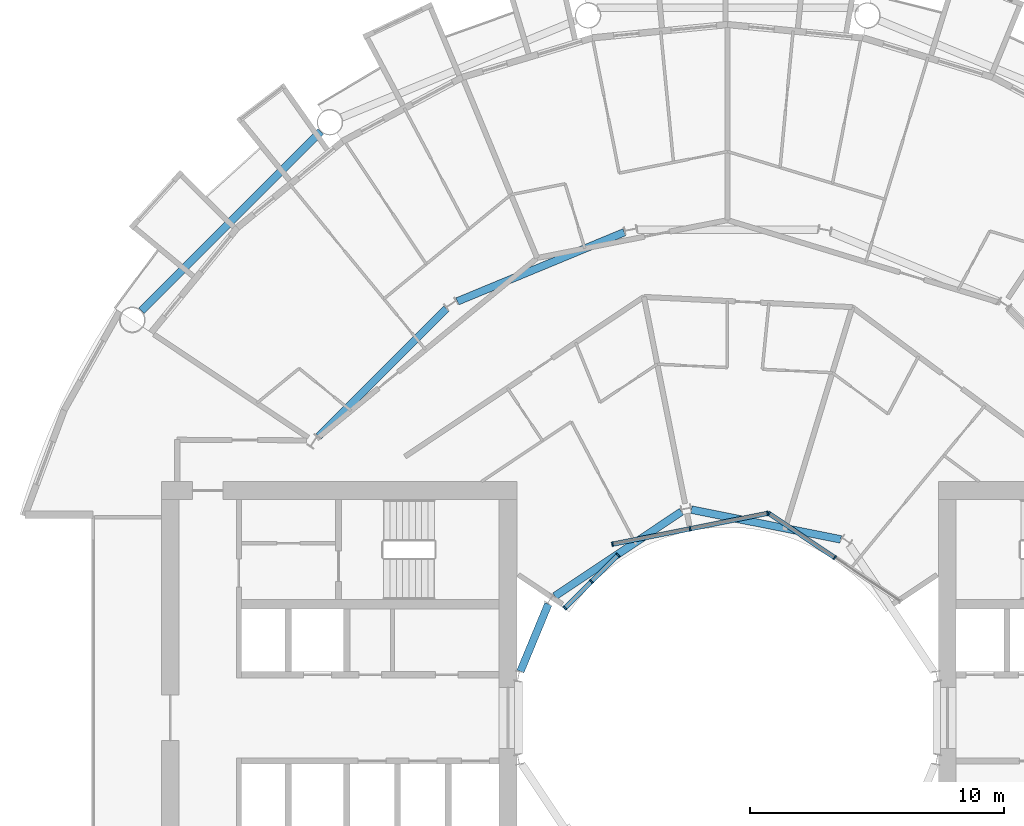
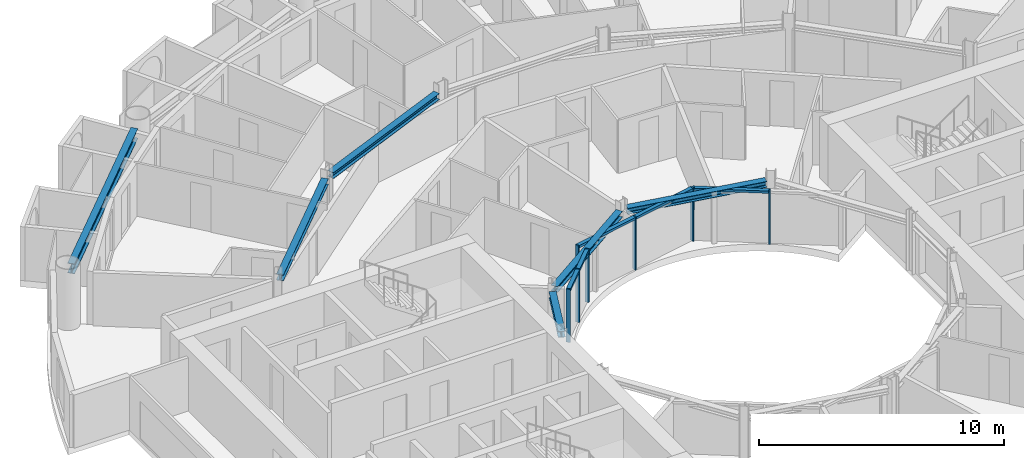
# One storey, part 7 of 25: 13 members, 6 beams, 3 elements without a shape of their own.
"""IFC4 building model written with IfcOpenShell, lengths in metres."""

from ifc_helpers import new_model, si_unit, direction, frame, origin, origin_2d, place, context, subcontext, project, spatial, rectangle, i_section, extrude, material, layer, layer_set, material_profile, profile_set, type_object, element, aggregate, save


model = new_model("IFC4")

# Units and contexts
model_context = context("Model", 3, precision=1e-05, world=origin(), true_north=direction((0.0, 1.0)))
body_context = subcontext(model_context, "Body", "Model", "MODEL_VIEW")
ifc_project = project(units=[si_unit("LENGTHUNIT", "METRE"), si_unit("AREAUNIT", "SQUARE_METRE"), si_unit("VOLUMEUNIT", "CUBIC_METRE"), si_unit("PLANEANGLEUNIT", "RADIAN"), si_unit("MASSUNIT", "GRAM", prefix="KILO")], contexts=[model_context])

# Site, building, storey
site_placement = place(None, origin())
site = spatial("IfcSite", under=ifc_project, at=site_placement, CompositionType="ELEMENT")
building_placement = place(site_placement, origin())
building = spatial("IfcBuilding", under=site, at=building_placement, Name="Maasbend Ring Residences", CompositionType="ELEMENT")
storey_placement = place(building_placement, frame((0.0, 0.0, 94.10009765625)))
storey = spatial("IfcBuildingStorey", under=building, at=storey_placement, Name="L27", CompositionType="ELEMENT", Elevation=94.10009765625)

# Curtain wall, members
ifc_material_1 = material(Name="Aluminium and clear glass", Category="aluminium")
ifc_layer = layer(ifc_material_1, 0.179931640625)
ifc_layer_set = layer_set([ifc_layer], Name="CW-W")
curtain_wall_type = type_object("IfcCurtainWallType", Name="CW-W", PredefinedType="NOTDEFINED", material=ifc_layer_set)
curtain_wall_1_placement = place(storey_placement, origin())
curtain_wall_1 = element("IfcCurtainWall", 1, at=curtain_wall_1_placement, inside=storey, type_object=curtain_wall_type, Name="Well curtain wall N1", PredefinedType="NOTDEFINED")
ifc_material_2 = material(Name="Aluminium 6063-T6", Category="aluminium")
ifc_material_profile_1 = material_profile(ifc_material_2, rectangle(XDim=0.179931640625, YDim=0.06005859375, at=origin_2d()), Name="AL 180x60")
ifc_profile_set_1 = profile_set([ifc_material_profile_1], Name="Aluminium 6063-T6")
member_type_1 = type_object("IfcMemberType", Name="CWM-W", PredefinedType="MULLION", material=ifc_profile_set_1)
member_1_placement = place(storey_placement, frame((4.216796875, 6.310791015625, 0.0), z_axis=(0.0, 0.0, 1.0), x_axis=(-0.55557023302, -0.831469612303, 0.0)))
member_1 = element("IfcMember", 2, at=member_1_placement, type_object=member_type_1, Name="Mullion well face", PredefinedType="MULLION", context=body_context, shape_type="SweptSolid", body=[
    extrude(rectangle(XDim=0.179931640625, YDim=0.06005859375, at=origin_2d()), origin(), (0.0, 0.0, 1.0), 2.64990234375),
])
member_2_placement = place(storey_placement, frame((1.627685546875, 8.040771484375, 0.0), z_axis=(0.0, 0.0, 1.0), x_axis=(-0.55557023302, -0.831469612303, 0.0)))
member_2 = element("IfcMember", 3, at=member_2_placement, type_object=member_type_1, Name="Mullion well face", PredefinedType="MULLION", context=body_context, shape_type="SweptSolid", body=[
    extrude(rectangle(XDim=0.179931640625, YDim=0.06005859375, at=origin_2d()), origin(), (0.0, 0.0, 1.0), 2.64990234375),
])

curtain_wall_2_placement = place(storey_placement, origin())
curtain_wall_2 = element("IfcCurtainWall", 4, at=curtain_wall_2_placement, inside=storey, type_object=curtain_wall_type, Name="Well curtain wall N2", PredefinedType="NOTDEFINED")
member_3_placement = place(storey_placement, frame((1.5732421875, 8.0517578125, 0.0), z_axis=(0.0, 0.0, 1.0), x_axis=(0.195090322016, -0.980785280403, 0.0)))
member_3 = element("IfcMember", 5, at=member_3_placement, type_object=member_type_1, Name="Mullion well face", PredefinedType="MULLION", context=body_context, shape_type="SweptSolid", body=[
    extrude(rectangle(XDim=0.179931640625, YDim=0.06005859375, at=origin_2d()), origin(), (0.0, 0.0, 1.0), 2.64990234375),
])
member_4_placement = place(storey_placement, frame((-1.480712890625, 7.444091796875, 0.0), z_axis=(0.0, 0.0, 1.0), x_axis=(0.195090322016, -0.980785280403, 0.0)))
member_4 = element("IfcMember", 6, at=member_4_placement, type_object=member_type_1, Name="Mullion well face", PredefinedType="MULLION", context=body_context, shape_type="SweptSolid", body=[
    extrude(rectangle(XDim=0.179931640625, YDim=0.06005859375, at=origin_2d()), origin(), (0.0, 0.0, 1.0), 2.64990234375),
])
member_5_placement = place(storey_placement, frame((-4.53466796875, 6.836669921875, 0.0), z_axis=(0.0, 0.0, 1.0), x_axis=(0.195090322016, -0.980785280403, 0.0)))
member_5 = element("IfcMember", 7, at=member_5_placement, type_object=member_type_1, Name="Mullion well face", PredefinedType="MULLION", context=body_context, shape_type="SweptSolid", body=[
    extrude(rectangle(XDim=0.179931640625, YDim=0.06005859375, at=origin_2d()), origin(), (0.0, 0.0, 1.0), 2.64990234375),
])

curtain_wall_3_placement = place(storey_placement, origin())
curtain_wall_3 = element("IfcCurtainWall", 8, at=curtain_wall_3_placement, inside=storey, type_object=curtain_wall_type, Name="Well curtain wall N3", PredefinedType="NOTDEFINED")
member_6_placement = place(storey_placement, frame((-4.320556640625, 6.413330078125, 0.0), z_axis=(0.0, 0.0, 1.0), x_axis=(0.707106781187, -0.707106781187, 0.0)))
member_6 = element("IfcMember", 9, at=member_6_placement, type_object=member_type_1, Name="Mullion well face", PredefinedType="MULLION", context=body_context, shape_type="SweptSolid", body=[
    extrude(rectangle(XDim=0.179931640625, YDim=0.06005859375, at=origin_2d()), origin(), (0.0, 0.0, 1.0), 2.64990234375),
])
member_7_placement = place(storey_placement, frame((-5.366943359375, 5.366943359375, 0.0), z_axis=(0.0, 0.0, 1.0), x_axis=(0.707106781187, -0.707106781187, 0.0)))
member_7 = element("IfcMember", 10, at=member_7_placement, type_object=member_type_1, Name="Mullion well face", PredefinedType="MULLION", context=body_context, shape_type="SweptSolid", body=[
    extrude(rectangle(XDim=0.179931640625, YDim=0.06005859375, at=origin_2d()), origin(), (0.0, 0.0, 1.0), 2.64990234375),
])
member_8_placement = place(storey_placement, frame((-6.413330078125, 4.320556640625, 0.0), z_axis=(0.0, 0.0, 1.0), x_axis=(0.707106781187, -0.707106781187, 0.0)))
member_8 = element("IfcMember", 11, at=member_8_placement, type_object=member_type_1, Name="Mullion well face", PredefinedType="MULLION", context=body_context, shape_type="SweptSolid", body=[
    extrude(rectangle(XDim=0.179931640625, YDim=0.06005859375, at=origin_2d()), origin(), (0.0, 0.0, 1.0), 2.64990234375),
])

# Member
ifc_material_3 = material(Name="Aluminium 6063-T6", Category="aluminium")
ifc_material_profile_2 = material_profile(ifc_material_3, rectangle(XDim=0.179931640625, YDim=0.1201171875, at=origin_2d()), Name="AL 180x120")
ifc_profile_set_2 = profile_set([ifc_material_profile_2], Name="Aluminium 6063-T6")
member_type_2 = type_object("IfcMemberType", Name="CWT-W", PredefinedType="USERDEFINED", material=ifc_profile_set_2)
member_9_placement = place(storey_placement, frame((4.19189453125, 6.32763671875, 2.58984375), z_axis=(-0.831496422459, 0.555530106689, 0.0), x_axis=(-0.555530106689, -0.831496422459, 0.0)))
member_9 = element("IfcMember", 12, at=member_9_placement, type_object=member_type_2, Name="Transom well face", ObjectType="TRANSOM", PredefinedType="USERDEFINED", context=body_context, shape_type="SweptSolid", body=[
    extrude(rectangle(XDim=0.179931640625, YDim=0.1201171875, at=origin_2d()), origin(), (0.0, 0.0, 1.0), 3.053955078125),
])

aggregate(curtain_wall_1, [member_1, member_2, member_9])

member_10_placement = place(storey_placement, frame((1.5439453125, 8.0458984375, 2.58984375), z_axis=(-0.980776956105, -0.195132166424, 0.0), x_axis=(0.195132166424, -0.980776956105, 0.0)))
member_10 = element("IfcMember", 13, at=member_10_placement, type_object=member_type_2, Name="Transom well face", ObjectType="TRANSOM", PredefinedType="USERDEFINED", context=body_context, shape_type="SweptSolid", body=[
    extrude(rectangle(XDim=0.179931640625, YDim=0.1201171875, at=origin_2d()), origin(), (0.0, 0.0, 1.0), 3.053955078125),
])

member_11_placement = place(storey_placement, frame((-1.51025390625, 7.438232421875, 2.58984375), z_axis=(-0.980789210404, -0.19507056353, 0.0), x_axis=(0.19507056353, -0.980789210404, 0.0)))
member_11 = element("IfcMember", 14, at=member_11_placement, type_object=member_type_2, Name="Transom well face", ObjectType="TRANSOM", PredefinedType="USERDEFINED", context=body_context, shape_type="SweptSolid", body=[
    extrude(rectangle(XDim=0.179931640625, YDim=0.1201171875, at=origin_2d()), origin(), (0.0, 0.0, 1.0), 3.0537109375),
])

aggregate(curtain_wall_2, [member_3, member_4, member_5, member_10, member_11])

member_12_placement = place(storey_placement, frame((-4.341796875, 6.39208984375, 2.58984375), z_axis=(-0.707106781187, -0.707106781187, 0.0), x_axis=(0.707106781187, -0.707106781187, 0.0)))
member_12 = element("IfcMember", 15, at=member_12_placement, type_object=member_type_2, Name="Transom well face", ObjectType="TRANSOM", PredefinedType="USERDEFINED", context=body_context, shape_type="SweptSolid", body=[
    extrude(rectangle(XDim=0.179931640625, YDim=0.1201171875, at=origin_2d()), origin(), (0.0, 0.0, 1.0), 1.419677734375),
])

member_13_placement = place(storey_placement, frame((-5.38818359375, 5.345703125, 2.58984375), z_axis=(-0.707106781187, -0.707106781187, 0.0), x_axis=(0.707106781187, -0.707106781187, 0.0)))
member_13 = element("IfcMember", 16, at=member_13_placement, type_object=member_type_2, Name="Transom well face", ObjectType="TRANSOM", PredefinedType="USERDEFINED", context=body_context, shape_type="SweptSolid", body=[
    extrude(rectangle(XDim=0.179931640625, YDim=0.1201171875, at=origin_2d()), origin(), (0.0, 0.0, 1.0), 1.419677734375),
])

aggregate(curtain_wall_3, [member_6, member_7, member_8, member_12, member_13])

# Beams
ifc_material_4 = material(Name="Steel S355J2", Category="steel")
ifc_material_profile_3 = material_profile(ifc_material_4, i_section(OverallWidth=0.300048828125, OverallDepth=0.300048828125, WebThickness=0.010986328125, FlangeThickness=0.01904296875, FilletRadius=0.027099609375, at=origin_2d()), Name="HEB 300")
ifc_profile_set_3 = profile_set([ifc_material_profile_3], Name="Steel S355J2")
beam_type_1 = type_object("IfcBeamType", Name="Corridor ring beam HEB 300", PredefinedType="BEAM", material=ifc_profile_set_3)
for number, where, z_axis, x_axis, name in (
    (17, (-4.070556640625, 19.12109375, 2.5), (-0.923877113721, -0.382689271788, 0.0), (0.382689271788, -0.923877113721, 0.0), "Corridor ring beam"),
    (18, (-11.078125, 16.10791015625, 2.5), (-0.707106781187, -0.707106781187, 0.0), (0.707106781187, -0.707106781187, 0.0), "Corridor ring beam"),
):
    element("IfcBeam", number, at=place(storey_placement, frame(where, z_axis=z_axis, x_axis=x_axis)), inside=storey, type_object=beam_type_1, Name=name, PredefinedType="BEAM", context=body_context, shape_type="SweptSolid", body=[
        extrude(i_section(OverallWidth=0.300048828125, OverallDepth=0.300048828125, WebThickness=0.010986328125, FlangeThickness=0.01904296875, FilletRadius=0.027099609375, at=origin_2d()), origin(), (0.0, 0.0, 1.0), 7.11328125),
    ])
ifc_material_5 = material(Name="Steel S355J2", Category="steel")
ifc_material_profile_4 = material_profile(ifc_material_5, i_section(OverallWidth=0.300048828125, OverallDepth=0.5, WebThickness=0.014404296875, FlangeThickness=0.028076171875, FilletRadius=0.027099609375, at=origin_2d()), Name="HEB 500")
ifc_profile_set_4 = profile_set([ifc_material_profile_4], Name="Steel S355J2")
beam_type_2 = type_object("IfcBeamType", Name="Spandrel ring beam HEB 500", PredefinedType="SPANDREL", material=ifc_profile_set_4)
beam_1_placement = place(storey_placement, frame((-16.0263671875, 23.088134765625, 2.39990234375), z_axis=(-0.707106781187, -0.707106781187, 0.0), x_axis=(0.707106781187, -0.707106781187, 0.0)))
element("IfcBeam", 19, at=beam_1_placement, inside=storey, type_object=beam_type_2, Name="Spandrel ring beam", PredefinedType="SPANDREL", context=body_context, shape_type="SweptSolid", body=[
    extrude(i_section(OverallWidth=0.300048828125, OverallDepth=0.5, WebThickness=0.014404296875, FlangeThickness=0.028076171875, FilletRadius=0.027099609375, at=origin_2d()), origin(), (0.0, 0.0, 1.0), 9.98681640625),
])
ifc_material_6 = material(Name="Steel S355J2", Category="steel")
ifc_material_profile_5 = material_profile(ifc_material_6, i_section(OverallWidth=0.300048828125, OverallDepth=0.300048828125, WebThickness=0.010986328125, FlangeThickness=0.01904296875, FilletRadius=0.027099609375, at=origin_2d()), Name="HEB 300")
ifc_profile_set_5 = profile_set([ifc_material_profile_5], Name="Steel S355J2")
beam_type_3 = type_object("IfcBeamType", Name="Well edge beam HEB 300", PredefinedType="BEAM", material=ifc_profile_set_5)
beam_2_placement = place(storey_placement, frame((4.45458984375, 7.026611328125, 2.5), z_axis=(-0.980789954577, 0.195066821885, 0.0), x_axis=(-0.195066821885, -0.980789954577, 0.0)))
element("IfcBeam", 20, at=beam_2_placement, inside=storey, type_object=beam_type_3, Name="Well edge beam", PredefinedType="BEAM", context=body_context, shape_type="SweptSolid", body=[
    extrude(i_section(OverallWidth=0.300048828125, OverallDepth=0.300048828125, WebThickness=0.010986328125, FlangeThickness=0.01904296875, FilletRadius=0.027099609375, at=origin_2d()), origin(), (0.0, 0.0, 1.0), 5.996337890625),
])
beam_3_placement = place(storey_placement, frame((-1.81884765625, 8.118408203125, 2.5), z_axis=(-0.83145471117, -0.555592533493, 0.0), x_axis=(0.555592533493, -0.83145471117, 0.0)))
element("IfcBeam", 21, at=beam_3_placement, inside=storey, type_object=beam_type_3, Name="Well edge beam", PredefinedType="BEAM", context=body_context, shape_type="SweptSolid", body=[
    extrude(i_section(OverallWidth=0.300048828125, OverallDepth=0.300048828125, WebThickness=0.010986328125, FlangeThickness=0.01904296875, FilletRadius=0.027099609375, at=origin_2d()), origin(), (0.0, 0.0, 1.0), 5.995849609375),
])
beam_4_placement = place(storey_placement, frame((-7.062255859375, 4.478515625, 2.5), z_axis=(-0.382729955172, -0.923860260761, 0.0), x_axis=(0.923860260761, -0.382729955172, 0.0)))
element("IfcBeam", 22, at=beam_4_placement, inside=storey, type_object=beam_type_3, Name="Well edge beam", PredefinedType="BEAM", context=body_context, shape_type="SweptSolid", body=[
    extrude(i_section(OverallWidth=0.300048828125, OverallDepth=0.300048828125, WebThickness=0.010986328125, FlangeThickness=0.01904296875, FilletRadius=0.027099609375, at=origin_2d()), origin(), (0.0, 0.0, 1.0), 2.869873046875),
])

save(model, "model.ifc")
